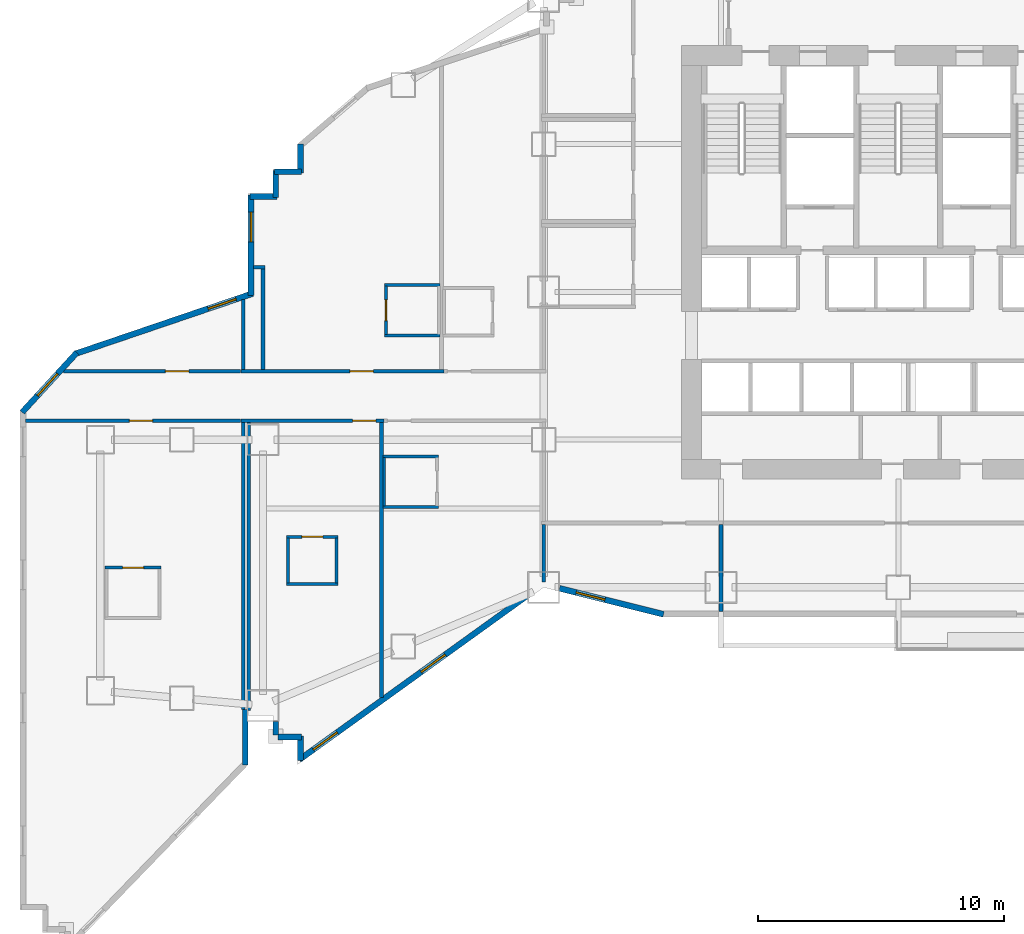
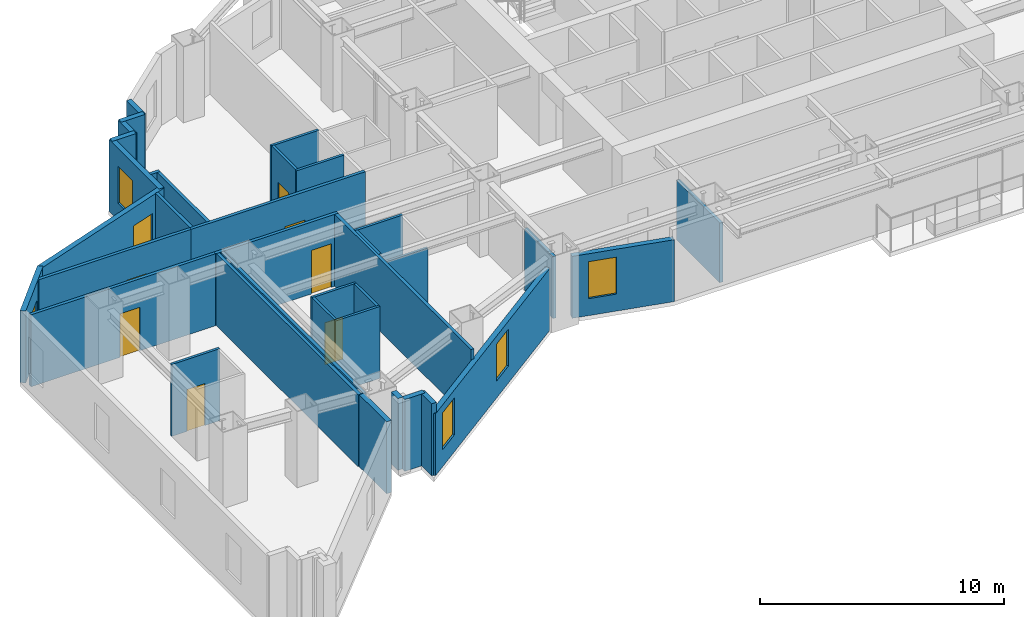
# One storey, part 7 of 17: 36 walls, 7 doors, 6 windows, 13 openings.
"""IFC4 building model written with IfcOpenShell, lengths in metres."""

from ifc_helpers import new_model, si_unit, direction, frame, frame_2d, origin, place, context, subcontext, project, spatial, rectangle, extrude, material, layer, layer_set, type_object, element, fill, save


model = new_model("IFC4")

# Units and contexts
model_context = context("Model", 3, precision=1e-05, world=origin(), true_north=direction((0.0, 1.0)))
body_context = subcontext(model_context, "Body", "Model", "MODEL_VIEW")
ifc_project = project(units=[si_unit("LENGTHUNIT", "METRE"), si_unit("AREAUNIT", "SQUARE_METRE"), si_unit("VOLUMEUNIT", "CUBIC_METRE"), si_unit("PLANEANGLEUNIT", "RADIAN"), si_unit("MASSUNIT", "GRAM", prefix="KILO")], contexts=[model_context])

# Site, building, storey
site_placement = place(None, origin())
site = spatial("IfcSite", under=ifc_project, at=site_placement, CompositionType="ELEMENT")
building_placement = place(site_placement, origin())
building = spatial("IfcBuilding", under=site, at=building_placement, Name="Haolan Belvedere Tower", CompositionType="ELEMENT")
storey_placement = place(building_placement, frame((0.0, 0.0, 35.39990234375)))
storey = spatial("IfcBuildingStorey", under=building, at=storey_placement, Name="L08", CompositionType="ELEMENT", Elevation=35.39990234375)

# Walls
ifc_material_1 = material(Name="Precast concrete C40/50", Category="concrete")
ifc_layer_1 = layer(ifc_material_1, 0.239990234375, Name="Precast concrete C40/50")
ifc_layer_set_1 = layer_set([ifc_layer_1], Name="Precast concrete C40/50")
wall_type_1 = type_object("IfcWallType", Name="WL-EXT-240", PredefinedType="SOLIDWALL", material=ifc_layer_set_1)
wall_1_placement = place(storey_placement, frame((11.8798828125, 14.3935546875, 0.0), z_axis=(0.0, 0.0, 1.0), x_axis=(0.0, 1.0, 0.0)))
element("IfcWall", 1, at=wall_1_placement, inside=storey, type_object=wall_type_1, Name="L08 pale-metal exterior spandrel wall 6.1", PredefinedType="SOLIDWALL", context=body_context, shape_type="SweptSolid", body=[
    extrude(rectangle(XDim=2.246337890625, YDim=0.239990234375, at=frame_2d((1.123046875, 0.0))), origin(), (0.0, 0.0, 1.0), 3.60009765625),
])
wall_2_placement = place(storey_placement, frame((13.1201171875, 16.157958984375, 0.0), z_axis=(0.0, 0.0, 1.0), x_axis=(0.0, -1.0, 0.0)))
element("IfcWall", 2, at=wall_2_placement, inside=storey, type_object=wall_type_1, Name="L08 pale-metal exterior spandrel wall 8.1", PredefinedType="SOLIDWALL", context=body_context, shape_type="SweptSolid", body=[
    extrude(rectangle(XDim=0.552978515625, YDim=0.239990234375, at=frame_2d((0.2763671875, 0.0))), origin(), (0.0, 0.0, 1.0), 3.60009765625),
])
wall_3_placement = place(storey_placement, frame((13.205078125, 15.52001953125, 0.0), z_axis=(0.0, 0.0, 1.0), x_axis=(1.0, 0.0, 0.0)))
element("IfcWall", 3, at=wall_3_placement, inside=storey, type_object=wall_type_1, Name="L08 pale-metal exterior spandrel wall 9.1", PredefinedType="SOLIDWALL", context=body_context, shape_type="SweptSolid", body=[
    extrude(rectangle(XDim=0.969970703125, YDim=0.239990234375, at=frame_2d((0.48486328125, 0.0))), origin(), (0.0, 0.0, 1.0), 3.60009765625),
])
wall_4_placement = place(storey_placement, frame((14.1201171875, 15.574951171875, 0.0), z_axis=(0.0, 0.0, 1.0), x_axis=(0.0, -1.0, 0.0)))
element("IfcWall", 4, at=wall_4_placement, inside=storey, type_object=wall_type_1, Name="L08 pale-metal exterior spandrel wall 10.1", PredefinedType="SOLIDWALL", context=body_context, shape_type="SweptSolid", body=[
    extrude(rectangle(XDim=0.99560546875, YDim=0.239990234375, at=frame_2d((0.497802734375, 0.0))), origin(), (0.0, 0.0, 1.0), 3.60009765625),
])

# Wall, openings, windows
wall_5_placement = place(storey_placement, frame((14.075439453125, 14.602294921875, 0.0), z_axis=(0.0, 0.0, 1.0), x_axis=(0.811535555989, 0.584303038984, 0.0)))
wall_5 = element("IfcWall", 5, at=wall_5_placement, inside=storey, type_object=wall_type_1, Name="L08 pale-metal exterior spandrel wall 11.1", PredefinedType="SOLIDWALL", context=body_context, shape_type="SweptSolid", body=[
    extrude(rectangle(XDim=11.438232421875, YDim=0.239990234375, at=frame_2d((5.71923828125, 0.0))), origin(), (0.0, 0.0, 1.0), 3.09716796875),
])
opening_1_placement = place(wall_5_placement, frame((0.699951171875, 0.0, 0.85009765625)))
opening_1 = element("IfcOpeningElement", 6, at=opening_1_placement, cuts=wall_5, Name="Opening W-01", PredefinedType="OPENING", context=body_context, shape_type="SweptSolid", body=[
    extrude(rectangle(XDim=1.199951171875, YDim=1.85009765625, at=frame_2d((0.60009765625, 0.925048828125))), frame((0.0, 0.1298828125, 0.0), z_axis=(0.0, -1.0, 0.0), x_axis=(1.0, 0.0, 0.0)), (0.0, 0.0, 1.0), 0.260009765625),
])
opening_2_placement = place(wall_5_placement, frame((6.10009765625, 0.0, 0.85009765625)))
opening_2 = element("IfcOpeningElement", 7, at=opening_2_placement, cuts=wall_5, Name="Opening W-01", PredefinedType="OPENING", context=body_context, shape_type="SweptSolid", body=[
    extrude(rectangle(XDim=1.199951171875, YDim=1.85009765625, at=frame_2d((0.60009765625, 0.925048828125))), frame((0.0, 0.1298828125, 0.0), z_axis=(0.0, -1.0, 0.0), x_axis=(1.0, 0.0, 0.0)), (0.0, 0.0, 1.0), 0.260009765625),
])
ifc_material_2 = material(Name="Anodised aluminium 6063-T6 and Low-E glass", Category="aluminium")
window_type = type_object("IfcWindowType", Name="WN-DECO-Z1", PartitioningType="SINGLE_PANEL", PredefinedType="WINDOW", material=ifc_material_2)
window_1_placement = place(opening_1_placement, origin())
window_1 = element("IfcWindow", 8, at=window_1_placement, inside=storey, type_object=window_type, Name="L08 Art Deco chevron window 1", OverallHeight=1.85009765625, OverallWidth=1.199951171875, PartitioningType="SINGLE_PANEL", PredefinedType="WINDOW", context=body_context, shape_type="SweptSolid", body=[
    extrude(rectangle(XDim=1.199951171875, YDim=1.85009765625, at=frame_2d((0.60009765625, 0.925048828125))), frame((0.0, 0.030029296875, 0.0), z_axis=(0.0, -1.0, 0.0), x_axis=(1.0, 0.0, 0.0)), (0.0, 0.0, 1.0), 0.06005859375),
])
fill(opening_1, window_1)
window_2_placement = place(opening_2_placement, origin())
window_2 = element("IfcWindow", 9, at=window_2_placement, inside=storey, type_object=window_type, Name="L08 Art Deco chevron window 2", OverallHeight=1.85009765625, OverallWidth=1.199951171875, PartitioningType="SINGLE_PANEL", PredefinedType="WINDOW", context=body_context, shape_type="SweptSolid", body=[
    extrude(rectangle(XDim=1.199951171875, YDim=1.85009765625, at=frame_2d((0.60009765625, 0.925048828125))), frame((0.0, 0.030029296875, 0.0), z_axis=(0.0, -1.0, 0.0), x_axis=(1.0, 0.0, 0.0)), (0.0, 0.0, 1.0), 0.06005859375),
])
fill(opening_2, window_2)

# Wall, opening, window
wall_6_placement = place(storey_placement, frame((24.64208984375, 21.563232421875, 0.0), z_axis=(0.0, 0.0, 1.0), x_axis=(0.970135906278, -0.242561998982, 0.0)))
wall_6 = element("IfcWall", 10, at=wall_6_placement, inside=storey, type_object=wall_type_1, Name="L08 pale-metal exterior spandrel wall 12.1", PredefinedType="SOLIDWALL", context=body_context, shape_type="SweptSolid", body=[
    extrude(rectangle(XDim=4.356201171875, YDim=0.239990234375, at=frame_2d((2.17822265625, 0.0))), origin(), (0.0, 0.0, 1.0), 3.09716796875),
])
opening_3_placement = place(wall_6_placement, frame((0.699951171875, 0.0, 0.85009765625)))
opening_3 = element("IfcOpeningElement", 11, at=opening_3_placement, cuts=wall_6, Name="Opening W-01", PredefinedType="OPENING", context=body_context, shape_type="SweptSolid", body=[
    extrude(rectangle(XDim=1.199951171875, YDim=1.85009765625, at=frame_2d((0.60009765625, 0.925048828125))), frame((0.0, 0.1298828125, 0.0), z_axis=(0.0, -1.0, 0.0), x_axis=(1.0, 0.0, 0.0)), (0.0, 0.0, 1.0), 0.260009765625),
])
window_3_placement = place(opening_3_placement, origin())
window_3 = element("IfcWindow", 12, at=window_3_placement, inside=storey, type_object=window_type, Name="L08 Art Deco chevron window 1", OverallHeight=1.85009765625, OverallWidth=1.199951171875, PartitioningType="SINGLE_PANEL", PredefinedType="WINDOW", context=body_context, shape_type="SweptSolid", body=[
    extrude(rectangle(XDim=1.199951171875, YDim=1.85009765625, at=frame_2d((0.60009765625, 0.925048828125))), frame((0.0, 0.030029296875, 0.0), z_axis=(0.0, -1.0, 0.0), x_axis=(1.0, 0.0, 0.0)), (0.0, 0.0, 1.0), 0.06005859375),
])
fill(opening_3, window_3)

# Walls
wall_7_placement = place(storey_placement, frame((14.1201171875, 39.599853515625, 0.0), z_axis=(0.0, 0.0, 1.0), x_axis=(0.0, -1.0, 0.0)))
element("IfcWall", 13, at=wall_7_placement, inside=storey, type_object=wall_type_1, Name="L08 pale-metal exterior spandrel wall 52.1", PredefinedType="SOLIDWALL", context=body_context, shape_type="SweptSolid", body=[
    extrude(rectangle(XDim=1.1748046875, YDim=0.239990234375, at=frame_2d((0.58740234375, 0.0))), origin(), (0.0, 0.0, 1.0), 3.60009765625),
])
wall_8_placement = place(storey_placement, frame((14.175048828125, 38.47998046875, 0.0), z_axis=(0.0, 0.0, 1.0), x_axis=(-1.0, 0.0, 0.0)))
element("IfcWall", 14, at=wall_8_placement, inside=storey, type_object=wall_type_1, Name="L08 pale-metal exterior spandrel wall 53.1", PredefinedType="SOLIDWALL", context=body_context, shape_type="SweptSolid", body=[
    extrude(rectangle(XDim=1.110107421875, YDim=0.239990234375, at=frame_2d((0.55517578125, 0.0))), origin(), (0.0, 0.0, 1.0), 3.60009765625),
])
wall_9_placement = place(storey_placement, frame((13.1201171875, 38.534912109375, 0.0), z_axis=(0.0, 0.0, 1.0), x_axis=(0.0, -1.0, 0.0)))
element("IfcWall", 15, at=wall_9_placement, inside=storey, type_object=wall_type_1, Name="L08 pale-metal exterior spandrel wall 54.1", PredefinedType="SOLIDWALL", context=body_context, shape_type="SweptSolid", body=[
    extrude(rectangle(XDim=1.10986328125, YDim=0.239990234375, at=frame_2d((0.554931640625, 0.0))), origin(), (0.0, 0.0, 1.0), 3.60009765625),
])
wall_10_placement = place(storey_placement, frame((13.175048828125, 37.47998046875, 0.0), z_axis=(0.0, 0.0, 1.0), x_axis=(-1.0, 0.0, 0.0)))
element("IfcWall", 16, at=wall_10_placement, inside=storey, type_object=wall_type_1, Name="L08 pale-metal exterior spandrel wall 55.1", PredefinedType="SOLIDWALL", context=body_context, shape_type="SweptSolid", body=[
    extrude(rectangle(XDim=1.110107421875, YDim=0.239990234375, at=frame_2d((0.55517578125, 0.0))), origin(), (0.0, 0.0, 1.0), 3.60009765625),
])

# Wall, opening, window
wall_11_placement = place(storey_placement, frame((12.1201171875, 37.534912109375, 0.0), z_axis=(0.0, 0.0, 1.0), x_axis=(0.0, -1.0, 0.0)))
wall_11 = element("IfcWall", 17, at=wall_11_placement, inside=storey, type_object=wall_type_1, Name="L08 pale-metal exterior spandrel wall 56.1", PredefinedType="SOLIDWALL", context=body_context, shape_type="SweptSolid", body=[
    extrude(rectangle(XDim=4.075927734375, YDim=0.239990234375, at=frame_2d((2.0380859375, 0.0))), origin(), (0.0, 0.0, 1.0), 3.60009765625),
])
opening_4_placement = place(wall_11_placement, frame((0.699951171875, 0.0, 0.85009765625)))
opening_4 = element("IfcOpeningElement", 18, at=opening_4_placement, cuts=wall_11, Name="Opening W-01", PredefinedType="OPENING", context=body_context, shape_type="SweptSolid", body=[
    extrude(rectangle(XDim=1.199951171875, YDim=1.85009765625, at=frame_2d((0.60009765625, 0.925048828125))), frame((0.0, 0.1298828125, 0.0), z_axis=(0.0, -1.0, 0.0), x_axis=(1.0, 0.0, 0.0)), (0.0, 0.0, 1.0), 0.260009765625),
])
window_4_placement = place(opening_4_placement, origin())
window_4 = element("IfcWindow", 19, at=window_4_placement, inside=storey, type_object=window_type, Name="L08 Art Deco chevron window 1", OverallHeight=1.85009765625, OverallWidth=1.199951171875, PartitioningType="SINGLE_PANEL", PredefinedType="WINDOW", context=body_context, shape_type="SweptSolid", body=[
    extrude(rectangle(XDim=1.199951171875, YDim=1.85009765625, at=frame_2d((0.60009765625, 0.925048828125))), frame((0.0, 0.030029296875, 0.0), z_axis=(0.0, -1.0, 0.0), x_axis=(1.0, 0.0, 0.0)), (0.0, 0.0, 1.0), 0.06005859375),
])
fill(opening_4, window_4)

wall_12_placement = place(storey_placement, frame((12.172119140625, 33.53173828125, 0.0), z_axis=(0.0, 0.0, 1.0), x_axis=(-0.946792852546, -0.321843586805, 0.0)))
wall_12 = element("IfcWall", 20, at=wall_12_placement, inside=storey, type_object=wall_type_1, Name="L08 pale-metal exterior spandrel wall 57.1", PredefinedType="SOLIDWALL", context=body_context, shape_type="SweptSolid", body=[
    extrude(rectangle(XDim=7.6220703125, YDim=0.239990234375, at=frame_2d((3.81103515625, 0.0))), origin(), (0.0, 0.0, 1.0), 3.60009765625),
])
opening_5_placement = place(wall_12_placement, frame((0.699951171875, 0.0, 0.85009765625)))
opening_5 = element("IfcOpeningElement", 21, at=opening_5_placement, cuts=wall_12, Name="Opening W-01", PredefinedType="OPENING", context=body_context, shape_type="SweptSolid", body=[
    extrude(rectangle(XDim=1.199951171875, YDim=1.85009765625, at=frame_2d((0.60009765625, 0.925048828125))), frame((0.0, 0.1298828125, 0.0), z_axis=(0.0, -1.0, 0.0), x_axis=(1.0, 0.0, 0.0)), (0.0, 0.0, 1.0), 0.260009765625),
])
window_5_placement = place(opening_5_placement, origin())
window_5 = element("IfcWindow", 22, at=window_5_placement, inside=storey, type_object=window_type, Name="L08 Art Deco chevron window 1", OverallHeight=1.85009765625, OverallWidth=1.199951171875, PartitioningType="SINGLE_PANEL", PredefinedType="WINDOW", context=body_context, shape_type="SweptSolid", body=[
    extrude(rectangle(XDim=1.199951171875, YDim=1.85009765625, at=frame_2d((0.60009765625, 0.925048828125))), frame((0.0, 0.030029296875, 0.0), z_axis=(0.0, -1.0, 0.0), x_axis=(1.0, 0.0, 0.0)), (0.0, 0.0, 1.0), 0.06005859375),
])
fill(opening_5, window_5)

wall_13_placement = place(storey_placement, frame((5.044921875, 31.13671875, 0.0), z_axis=(0.0, 0.0, 1.0), x_axis=(-0.675778419356, -0.73710482832, 0.0)))
wall_13 = element("IfcWall", 23, at=wall_13_placement, inside=storey, type_object=wall_type_1, Name="L08 pale-metal exterior spandrel wall 58.1", PredefinedType="SOLIDWALL", context=body_context, shape_type="SweptSolid", body=[
    extrude(rectangle(XDim=3.288330078125, YDim=0.239990234375, at=frame_2d((1.64404296875, 0.0))), origin(), (0.0, 0.0, 1.0), 3.60009765625),
])
opening_6_placement = place(wall_13_placement, frame((1.165283203125, 0.0, 0.85009765625)))
opening_6 = element("IfcOpeningElement", 24, at=opening_6_placement, cuts=wall_13, Name="Opening W-01", PredefinedType="OPENING", context=body_context, shape_type="SweptSolid", body=[
    extrude(rectangle(XDim=1.199951171875, YDim=1.85009765625, at=frame_2d((0.60009765625, 0.925048828125))), frame((0.0, 0.1298828125, 0.0), z_axis=(0.0, -1.0, 0.0), x_axis=(1.0, 0.0, 0.0)), (0.0, 0.0, 1.0), 0.260009765625),
])
window_6_placement = place(opening_6_placement, origin())
window_6 = element("IfcWindow", 25, at=window_6_placement, inside=storey, type_object=window_type, Name="L08 Art Deco chevron window 1", OverallHeight=1.85009765625, OverallWidth=1.199951171875, PartitioningType="SINGLE_PANEL", PredefinedType="WINDOW", context=body_context, shape_type="SweptSolid", body=[
    extrude(rectangle(XDim=1.199951171875, YDim=1.85009765625, at=frame_2d((0.60009765625, 0.925048828125))), frame((0.0, 0.030029296875, 0.0), z_axis=(0.0, -1.0, 0.0), x_axis=(1.0, 0.0, 0.0)), (0.0, 0.0, 1.0), 0.06005859375),
])
fill(opening_6, window_6)

# Walls
ifc_material_3 = material(Name="Double gypsum acoustic stud partition", Category="masonry")
ifc_layer_2 = layer(ifc_material_3, 0.14990234375, Name="Double gypsum acoustic stud partition")
ifc_layer_set_2 = layer_set([ifc_layer_2], Name="Double gypsum acoustic stud partition")
wall_type_2 = type_object("IfcWallType", Name="WL-PART-150", PredefinedType="PARTITIONING", material=ifc_layer_set_2)
wall_14_placement = place(storey_placement, frame((24.0, 21.818603515625, 0.0), z_axis=(0.0, 0.0, 1.0), x_axis=(0.0, 1.0, 0.0)))
element("IfcWall", 26, at=wall_14_placement, inside=storey, type_object=wall_type_2, Name="L08 interior partition IW-L08-KS1-W", PredefinedType="PARTITIONING", context=body_context, shape_type="SweptSolid", body=[
    extrude(rectangle(XDim=2.34130859375, YDim=0.14990234375, at=frame_2d((1.170654296875, 0.0))), origin(), (0.0, 0.0, 1.0), 3.09716796875),
])
wall_15_placement = place(storey_placement, frame((31.199951171875, 20.625, 0.0), z_axis=(0.0, 0.0, 1.0), x_axis=(0.0, 1.0, 0.0)))
element("IfcWall", 27, at=wall_15_placement, inside=storey, type_object=wall_type_2, Name="L08 interior partition IW-L08-KS1-E", PredefinedType="PARTITIONING", context=body_context, shape_type="SweptSolid", body=[
    extrude(rectangle(XDim=3.534912109375, YDim=0.14990234375, at=frame_2d((1.767578125, 0.0))), origin(), (0.0, 0.0, 1.0), 2.985107421875),
])

# Wall, opening, door
wall_16_placement = place(storey_placement, frame((11.699951171875, 30.3798828125, 0.0), z_axis=(0.0, 0.0, 1.0), x_axis=(1.0, 0.0, 0.0)))
wall_16 = element("IfcWall", 28, at=wall_16_placement, inside=storey, type_object=wall_type_2, Name="L08 interior partition IW-L08-T2N1-S", PredefinedType="PARTITIONING", context=body_context, shape_type="SweptSolid", body=[
    extrude(rectangle(XDim=8.25, YDim=0.14990234375, at=frame_2d((4.125, 0.0))), origin(), (0.0, 0.0, 1.0), 3.60009765625),
])
opening_7_placement = place(wall_16_placement, frame((4.43359375, 0.0, 0.0)))
opening_7 = element("IfcOpeningElement", 29, at=opening_7_placement, cuts=wall_16, Name="Opening ID-01", PredefinedType="OPENING", context=body_context, shape_type="SweptSolid", body=[
    extrude(rectangle(XDim=0.949951171875, YDim=2.179931640625, at=frame_2d((0.47509765625, 1.08984375))), frame((0.0, 0.0849609375, 0.0), z_axis=(0.0, -1.0, 0.0), x_axis=(1.0, 0.0, 0.0)), (0.0, 0.0, 1.0), 0.169921875),
])
ifc_material_4 = material(Name="Acoustic walnut veneer fire-rated timber", Category="wood")
door_type_1 = type_object("IfcDoorType", Name="DR-SUITE-950", OperationType="NOTDEFINED", PredefinedType="DOOR", material=ifc_material_4)
door_1_placement = place(opening_7_placement, origin())
door_1 = element("IfcDoor", 30, at=door_1_placement, inside=storey, type_object=door_type_1, Name="L08 door ID-L08-T2N1-ENT", OperationType="SINGLE_SWING_LEFT", OverallHeight=2.179931640625, OverallWidth=0.949951171875, PredefinedType="DOOR", context=body_context, shape_type="SweptSolid", body=[
    extrude(rectangle(XDim=0.949951171875, YDim=2.179931640625, at=frame_2d((0.47509765625, 1.08984375))), frame((0.0, 0.02490234375, 0.0), z_axis=(0.0, -1.0, 0.0), x_axis=(1.0, 0.0, 0.0)), (0.0, 0.0, 1.0), 0.050048828125),
])
fill(opening_7, door_1)

# Wall
wall_17_placement = place(storey_placement, frame((11.800048828125, 30.43994140625, 0.0), z_axis=(0.0, 0.0, 1.0), x_axis=(0.0, 1.0, 0.0)))
element("IfcWall", 31, at=wall_17_placement, inside=storey, type_object=wall_type_2, Name="L08 interior partition IW-L08-T2N1-W", PredefinedType="PARTITIONING", context=body_context, shape_type="SweptSolid", body=[
    extrude(rectangle(XDim=2.854248046875, YDim=0.14990234375, at=frame_2d((1.42724609375, 0.0))), origin(), (0.0, 0.0, 1.0), 3.60009765625),
])

# Wall, opening, door
wall_18_placement = place(storey_placement, frame((11.699951171875, 28.3701171875, 0.0), z_axis=(0.0, 0.0, 1.0), x_axis=(1.0, 0.0, 0.0)))
wall_18 = element("IfcWall", 32, at=wall_18_placement, inside=storey, type_object=wall_type_2, Name="L08 interior partition IW-L08-T2S1-N", PredefinedType="PARTITIONING", context=body_context, shape_type="SweptSolid", body=[
    extrude(rectangle(XDim=5.81005859375, YDim=0.14990234375, at=frame_2d((2.905029296875, 0.0))), origin(), (0.0, 0.0, 1.0), 3.60009765625),
])
opening_8_placement = place(wall_18_placement, frame((5.48779296875, 0.0, 0.0), z_axis=(0.0, 0.0, 1.0), x_axis=(-1.0, 0.0, 0.0)))
opening_8 = element("IfcOpeningElement", 33, at=opening_8_placement, cuts=wall_18, Name="Opening ID-01", PredefinedType="OPENING", context=body_context, shape_type="SweptSolid", body=[
    extrude(rectangle(XDim=0.949951171875, YDim=2.179931640625, at=frame_2d((0.47509765625, 1.08984375))), frame((0.0, 0.0849609375, 0.0), z_axis=(0.0, -1.0, 0.0), x_axis=(1.0, 0.0, 0.0)), (0.0, 0.0, 1.0), 0.169921875),
])
door_2_placement = place(opening_8_placement, origin())
door_2 = element("IfcDoor", 34, at=door_2_placement, inside=storey, type_object=door_type_1, Name="L08 door ID-L08-T2S1-ENT", OperationType="SINGLE_SWING_LEFT", OverallHeight=2.179931640625, OverallWidth=0.949951171875, PredefinedType="DOOR", context=body_context, shape_type="SweptSolid", body=[
    extrude(rectangle(XDim=0.949951171875, YDim=2.179931640625, at=frame_2d((0.47509765625, 1.08984375))), frame((0.0, 0.02490234375, 0.0), z_axis=(0.0, -1.0, 0.0), x_axis=(1.0, 0.0, 0.0)), (0.0, 0.0, 1.0), 0.050048828125),
])
fill(opening_8, door_2)

# Walls
wall_19_placement = place(storey_placement, frame((11.800048828125, 16.64208984375, 0.0), z_axis=(0.0, 0.0, 1.0), x_axis=(0.0, 1.0, 0.0)))
element("IfcWall", 35, at=wall_19_placement, inside=storey, type_object=wall_type_2, Name="L08 interior partition IW-L08-T2S1-W", PredefinedType="PARTITIONING", context=body_context, shape_type="SweptSolid", body=[
    extrude(rectangle(XDim=11.66796875, YDim=0.14990234375, at=frame_2d((5.833984375, 0.0))), origin(), (0.0, 0.0, 1.0), 3.60009765625),
])
wall_20_placement = place(storey_placement, frame((17.409912109375, 17.132568359375, 0.0), z_axis=(0.0, 0.0, 1.0), x_axis=(0.0, 1.0, 0.0)))
element("IfcWall", 36, at=wall_20_placement, inside=storey, type_object=wall_type_2, Name="L08 interior partition IW-L08-T2S1-E", PredefinedType="PARTITIONING", context=body_context, shape_type="SweptSolid", body=[
    extrude(rectangle(XDim=11.177490234375, YDim=0.14990234375, at=frame_2d((5.5888671875, 0.0))), origin(), (0.0, 0.0, 1.0), 3.60009765625),
])

# Wall, opening, door
wall_21_placement = place(storey_placement, frame((2.965087890625, 28.3701171875, 0.0), z_axis=(0.0, 0.0, 1.0), x_axis=(1.0, 0.0, 0.0)))
wall_21 = element("IfcWall", 37, at=wall_21_placement, inside=storey, type_object=wall_type_2, Name="L08 interior partition IW-L08-T1S1-N", PredefinedType="PARTITIONING", context=body_context, shape_type="SweptSolid", body=[
    extrude(rectangle(XDim=8.73291015625, YDim=0.14990234375, at=frame_2d((4.366455078125, 0.0))), origin(), (0.0, 0.0, 1.0), 3.60009765625),
])
opening_9_placement = place(wall_21_placement, frame((5.159423828125, 0.0, 0.0), z_axis=(0.0, 0.0, 1.0), x_axis=(-1.0, 0.0, 0.0)))
opening_9 = element("IfcOpeningElement", 38, at=opening_9_placement, cuts=wall_21, Name="Opening ID-01", PredefinedType="OPENING", context=body_context, shape_type="SweptSolid", body=[
    extrude(rectangle(XDim=0.949951171875, YDim=2.179931640625, at=frame_2d((0.47509765625, 1.08984375))), frame((0.0, 0.0849609375, 0.0), z_axis=(0.0, -1.0, 0.0), x_axis=(1.0, 0.0, 0.0)), (0.0, 0.0, 1.0), 0.169921875),
])
door_3_placement = place(opening_9_placement, origin())
door_3 = element("IfcDoor", 39, at=door_3_placement, inside=storey, type_object=door_type_1, Name="L08 door ID-L08-T1S1-ENT", OperationType="SINGLE_SWING_LEFT", OverallHeight=2.179931640625, OverallWidth=0.949951171875, PredefinedType="DOOR", context=body_context, shape_type="SweptSolid", body=[
    extrude(rectangle(XDim=0.949951171875, YDim=2.179931640625, at=frame_2d((0.47509765625, 1.08984375))), frame((0.0, 0.02490234375, 0.0), z_axis=(0.0, -1.0, 0.0), x_axis=(1.0, 0.0, 0.0)), (0.0, 0.0, 1.0), 0.050048828125),
])
fill(opening_9, door_3)

# Walls
wall_22_placement = place(storey_placement, frame((12.02001953125, 16.612060546875, 0.0), z_axis=(0.0, 0.0, 1.0), x_axis=(0.0, 1.0, 0.0)))
element("IfcWall", 40, at=wall_22_placement, inside=storey, type_object=wall_type_2, Name="L08 interior partition IW-L08-T1S1-E", PredefinedType="PARTITIONING", context=body_context, shape_type="SweptSolid", body=[
    extrude(rectangle(XDim=11.697998046875, YDim=0.14990234375, at=frame_2d((5.84912109375, 0.0))), origin(), (0.0, 0.0, 1.0), 3.60009765625),
])
wall_23_placement = place(storey_placement, frame((12.22509765625, 34.60009765625, 0.0), z_axis=(0.0, 0.0, 1.0), x_axis=(1.0, 0.0, 0.0)))
element("IfcWall", 41, at=wall_23_placement, inside=storey, type_object=wall_type_2, Name="L08 interior partition IW-L08-T1N1-N", PredefinedType="PARTITIONING", context=body_context, shape_type="SweptSolid", body=[
    extrude(rectangle(XDim=0.454833984375, YDim=0.14990234375, at=frame_2d((0.2275390625, 0.0))), origin(), (0.0, 0.0, 1.0), 3.60009765625),
])

# Wall, opening, door
wall_24_placement = place(storey_placement, frame((4.49365234375, 30.3798828125, 0.0), z_axis=(0.0, 0.0, 1.0), x_axis=(1.0, 0.0, 0.0)))
wall_24 = element("IfcWall", 42, at=wall_24_placement, inside=storey, type_object=wall_type_2, Name="L08 interior partition IW-L08-T1N1-S", PredefinedType="PARTITIONING", context=body_context, shape_type="SweptSolid", body=[
    extrude(rectangle(XDim=7.204345703125, YDim=0.14990234375, at=frame_2d((3.60205078125, 0.0))), origin(), (0.0, 0.0, 1.0), 3.60009765625),
])
opening_10_placement = place(wall_24_placement, frame((4.143798828125, 0.0, 0.0)))
opening_10 = element("IfcOpeningElement", 43, at=opening_10_placement, cuts=wall_24, Name="Opening ID-03", PredefinedType="OPENING", context=body_context, shape_type="SweptSolid", body=[
    extrude(rectangle(XDim=0.949951171875, YDim=2.1201171875, at=frame_2d((0.47509765625, 1.06005859375))), frame((0.0, 0.0849609375, 0.0), z_axis=(0.0, -1.0, 0.0), x_axis=(1.0, 0.0, 0.0)), (0.0, 0.0, 1.0), 0.169921875),
])
ifc_material_5 = material(Name="Painted solid-core timber", Category="wood")
door_type_2 = type_object("IfcDoorType", Name="DR-INT-950", OperationType="NOTDEFINED", PredefinedType="DOOR", material=ifc_material_5)
door_4_placement = place(opening_10_placement, origin())
door_4 = element("IfcDoor", 44, at=door_4_placement, inside=storey, type_object=door_type_2, Name="L08 door ID-L08-T1N1", OperationType="SINGLE_SWING_LEFT", OverallHeight=2.1201171875, OverallWidth=0.949951171875, PredefinedType="DOOR", context=body_context, shape_type="SweptSolid", body=[
    extrude(rectangle(XDim=0.949951171875, YDim=2.1201171875, at=frame_2d((0.47509765625, 1.06005859375))), frame((0.0, 0.02490234375, 0.0), z_axis=(0.0, -1.0, 0.0), x_axis=(1.0, 0.0, 0.0)), (0.0, 0.0, 1.0), 0.050048828125),
])
fill(opening_10, door_4)

# Walls
wall_25_placement = place(storey_placement, frame((12.60009765625, 30.43994140625, 0.0), z_axis=(0.0, 0.0, 1.0), x_axis=(0.0, 1.0, 0.0)))
element("IfcWall", 45, at=wall_25_placement, inside=storey, type_object=wall_type_2, Name="L08 interior partition IW-L08-T1N1-E", PredefinedType="PARTITIONING", context=body_context, shape_type="SweptSolid", body=[
    extrude(rectangle(XDim=4.10009765625, YDim=0.14990234375, at=frame_2d((2.050048828125, 0.0))), origin(), (0.0, 0.0, 1.0), 3.60009765625),
])
ifc_material_6 = material(Name="Moisture-resistant gypsum tile partition", Category="masonry")
ifc_layer_3 = layer(ifc_material_6, 0.1201171875, Name="Moisture-resistant gypsum tile partition")
ifc_layer_set_3 = layer_set([ifc_layer_3], Name="Moisture-resistant gypsum tile partition")
wall_type_3 = type_object("IfcWallType", Name="WL-WET-120", PredefinedType="PARTITIONING", material=ifc_layer_set_3)
for number, where, z_axis, x_axis, name in (
    (46, (17.5400390625, 33.8798828125, 0.0), (0.0, 0.0, 1.0), (1.0, 0.0, 0.0), "L08 interior partition IW-L08-T2N1-BN"),
    (47, (17.5400390625, 31.830078125, 0.0), (0.0, 0.0, 1.0), (1.0, 0.0, 0.0), "L08 interior partition IW-L08-T2N1-BS"),
):
    element("IfcWall", number, at=place(storey_placement, frame(where, z_axis=z_axis, x_axis=x_axis)), inside=storey, type_object=wall_type_3, Name=name, PredefinedType="PARTITIONING", context=body_context, shape_type="SweptSolid", body=[
        extrude(rectangle(XDim=2.25, YDim=0.1201171875, at=frame_2d((1.125, 0.0))), origin(), (0.0, 0.0, 1.0), 3.60009765625),
    ])

# Wall, opening, door
wall_26_placement = place(storey_placement, frame((17.60009765625, 31.875, 0.0), z_axis=(0.0, 0.0, 1.0), x_axis=(0.0, 1.0, 0.0)))
wall_26 = element("IfcWall", 48, at=wall_26_placement, inside=storey, type_object=wall_type_3, Name="L08 interior partition IW-L08-T2N1-BW", PredefinedType="PARTITIONING", context=body_context, shape_type="SweptSolid", body=[
    extrude(rectangle(XDim=1.9599609375, YDim=0.1201171875, at=frame_2d((0.97998046875, 0.0))), origin(), (0.0, 0.0, 1.0), 3.60009765625),
])
opening_11_placement = place(wall_26_placement, frame((1.405029296875, 0.0, 0.0), z_axis=(0.0, 0.0, 1.0), x_axis=(-1.0, 0.0, 0.0)))
opening_11 = element("IfcOpeningElement", 49, at=opening_11_placement, cuts=wall_26, Name="Opening ID-05", PredefinedType="OPENING", context=body_context, shape_type="SweptSolid", body=[
    extrude(rectangle(XDim=0.85009765625, YDim=2.10009765625, at=frame_2d((0.425048828125, 1.050048828125))), frame((0.0, 0.070068359375, 0.0), z_axis=(0.0, -1.0, 0.0), x_axis=(1.0, 0.0, 0.0)), (0.0, 0.0, 1.0), 0.14013671875),
])
ifc_material_7 = material(Name="Moisture-resistant lacquered timber", Category="wood")
door_type_3 = type_object("IfcDoorType", Name="DR-BATH-850", OperationType="NOTDEFINED", PredefinedType="DOOR", material=ifc_material_7)
door_5_placement = place(opening_11_placement, origin())
door_5 = element("IfcDoor", 50, at=door_5_placement, inside=storey, type_object=door_type_3, Name="L08 door ID-L08-T2N1-BATH", OperationType="SINGLE_SWING_RIGHT", OverallHeight=2.10009765625, OverallWidth=0.85009765625, PredefinedType="DOOR", context=body_context, shape_type="SweptSolid", body=[
    extrude(rectangle(XDim=0.85009765625, YDim=2.10009765625, at=frame_2d((0.425048828125, 1.050048828125))), frame((0.0, 0.02490234375, 0.0), z_axis=(0.0, -1.0, 0.0), x_axis=(1.0, 0.0, 0.0)), (0.0, 0.0, 1.0), 0.050048828125),
])
fill(opening_11, door_5)

wall_27_placement = place(storey_placement, frame((13.554931640625, 23.653076171875, 0.0), z_axis=(0.0, 0.0, 1.0), x_axis=(1.0, 0.0, 0.0)))
wall_27 = element("IfcWall", 51, at=wall_27_placement, inside=storey, type_object=wall_type_3, Name="L08 interior partition IW-L08-T2S1-BN", PredefinedType="PARTITIONING", context=body_context, shape_type="SweptSolid", body=[
    extrude(rectangle(XDim=2.10009765625, YDim=0.1201171875, at=frame_2d((1.050048828125, 0.0))), origin(), (0.0, 0.0, 1.0), 3.60009765625),
])
opening_12_placement = place(wall_27_placement, frame((1.47509765625, 0.0, 0.0), z_axis=(0.0, 0.0, 1.0), x_axis=(-1.0, 0.0, 0.0)))
opening_12 = element("IfcOpeningElement", 52, at=opening_12_placement, cuts=wall_27, Name="Opening ID-05", PredefinedType="OPENING", context=body_context, shape_type="SweptSolid", body=[
    extrude(rectangle(XDim=0.85009765625, YDim=2.10009765625, at=frame_2d((0.425048828125, 1.050048828125))), frame((0.0, 0.070068359375, 0.0), z_axis=(0.0, -1.0, 0.0), x_axis=(1.0, 0.0, 0.0)), (0.0, 0.0, 1.0), 0.14013671875),
])
door_6_placement = place(opening_12_placement, origin())
door_6 = element("IfcDoor", 53, at=door_6_placement, inside=storey, type_object=door_type_3, Name="L08 door ID-L08-T2S1-BATH", OperationType="SINGLE_SWING_RIGHT", OverallHeight=2.10009765625, OverallWidth=0.85009765625, PredefinedType="DOOR", context=body_context, shape_type="SweptSolid", body=[
    extrude(rectangle(XDim=0.85009765625, YDim=2.10009765625, at=frame_2d((0.425048828125, 1.050048828125))), frame((0.0, 0.02490234375, 0.0), z_axis=(0.0, -1.0, 0.0), x_axis=(1.0, 0.0, 0.0)), (0.0, 0.0, 1.0), 0.050048828125),
])
fill(opening_12, door_6)

# Walls
wall_28_placement = place(storey_placement, frame((13.554931640625, 21.73291015625, 0.0), z_axis=(0.0, 0.0, 1.0), x_axis=(1.0, 0.0, 0.0)))
element("IfcWall", 54, at=wall_28_placement, inside=storey, type_object=wall_type_3, Name="L08 interior partition IW-L08-T2S1-BS", PredefinedType="PARTITIONING", context=body_context, shape_type="SweptSolid", body=[
    extrude(rectangle(XDim=2.10009765625, YDim=0.1201171875, at=frame_2d((1.050048828125, 0.0))), origin(), (0.0, 0.0, 1.0), 3.60009765625),
])
for number, where, z_axis, x_axis, name in (
    (55, (13.614990234375, 21.778076171875, 0.0), (0.0, 0.0, 1.0), (0.0, 1.0, 0.0), "L08 interior partition IW-L08-T2S1-BW"),
    (56, (15.594970703125, 21.778076171875, 0.0), (0.0, 0.0, 1.0), (0.0, 1.0, 0.0), "L08 interior partition IW-L08-T2S1-BE"),
):
    element("IfcWall", number, at=place(storey_placement, frame(where, z_axis=z_axis, x_axis=x_axis)), inside=storey, type_object=wall_type_3, Name=name, PredefinedType="PARTITIONING", context=body_context, shape_type="SweptSolid", body=[
        extrude(rectangle(XDim=1.829833984375, YDim=0.1201171875, at=frame_2d((0.9150390625, 0.0))), origin(), (0.0, 0.0, 1.0), 3.60009765625),
    ])
wall_29_placement = place(storey_placement, frame((17.469970703125, 26.919921875, 0.0), z_axis=(0.0, 0.0, 1.0), x_axis=(1.0, 0.0, 0.0)))
element("IfcWall", 57, at=wall_29_placement, inside=storey, type_object=wall_type_3, Name="L08 interior partition IW-L08-T2S2-BN", PredefinedType="PARTITIONING", context=body_context, shape_type="SweptSolid", body=[
    extrude(rectangle(XDim=2.26513671875, YDim=0.1201171875, at=frame_2d((1.132568359375, 0.0))), origin(), (0.0, 0.0, 1.0), 3.60009765625),
])
wall_30_placement = place(storey_placement, frame((17.469970703125, 24.8701171875, 0.0), z_axis=(0.0, 0.0, 1.0), x_axis=(1.0, 0.0, 0.0)))
element("IfcWall", 58, at=wall_30_placement, inside=storey, type_object=wall_type_3, Name="L08 interior partition IW-L08-T2S2-BS", PredefinedType="PARTITIONING", context=body_context, shape_type="SweptSolid", body=[
    extrude(rectangle(XDim=2.26513671875, YDim=0.1201171875, at=frame_2d((1.132568359375, 0.0))), origin(), (0.0, 0.0, 1.0), 3.18505859375),
])
wall_31_placement = place(storey_placement, frame((17.52490234375, 24.9150390625, 0.0), z_axis=(0.0, 0.0, 1.0), x_axis=(0.0, 1.0, 0.0)))
element("IfcWall", 59, at=wall_31_placement, inside=storey, type_object=wall_type_3, Name="L08 interior partition IW-L08-T2S2-BW", PredefinedType="PARTITIONING", context=body_context, shape_type="SweptSolid", body=[
    extrude(rectangle(XDim=1.9599609375, YDim=0.1201171875, at=frame_2d((0.97998046875, 0.0))), origin(), (0.0, 0.0, 1.0), 3.60009765625),
])

# Wall, opening, door
wall_32_placement = place(storey_placement, frame((6.193115234375, 22.39990234375, 0.0), z_axis=(0.0, 0.0, 1.0), x_axis=(1.0, 0.0, 0.0)))
wall_32 = element("IfcWall", 60, at=wall_32_placement, inside=storey, type_object=wall_type_3, Name="L08 interior partition IW-L08-T1S1-BN", PredefinedType="PARTITIONING", context=body_context, shape_type="SweptSolid", body=[
    extrude(rectangle(XDim=2.269775390625, YDim=0.1201171875, at=frame_2d((1.134765625, 0.0))), origin(), (0.0, 0.0, 1.0), 3.60009765625),
])
opening_13_placement = place(wall_32_placement, frame((1.56005859375, 0.0, 0.0), z_axis=(0.0, 0.0, 1.0), x_axis=(-1.0, 0.0, 0.0)))
opening_13 = element("IfcOpeningElement", 61, at=opening_13_placement, cuts=wall_32, Name="Opening ID-05", PredefinedType="OPENING", context=body_context, shape_type="SweptSolid", body=[
    extrude(rectangle(XDim=0.85009765625, YDim=2.10009765625, at=frame_2d((0.425048828125, 1.050048828125))), frame((0.0, 0.070068359375, 0.0), z_axis=(0.0, -1.0, 0.0), x_axis=(1.0, 0.0, 0.0)), (0.0, 0.0, 1.0), 0.14013671875),
])
door_7_placement = place(opening_13_placement, origin())
door_7 = element("IfcDoor", 62, at=door_7_placement, inside=storey, type_object=door_type_3, Name="L08 door ID-L08-T1S1-BATH", OperationType="SINGLE_SWING_RIGHT", OverallHeight=2.10009765625, OverallWidth=0.85009765625, PredefinedType="DOOR", context=body_context, shape_type="SweptSolid", body=[
    extrude(rectangle(XDim=0.85009765625, YDim=2.10009765625, at=frame_2d((0.425048828125, 1.050048828125))), frame((0.0, 0.02490234375, 0.0), z_axis=(0.0, -1.0, 0.0), x_axis=(1.0, 0.0, 0.0)), (0.0, 0.0, 1.0), 0.050048828125),
])
fill(opening_13, door_7)

save(model, "model.ifc")
